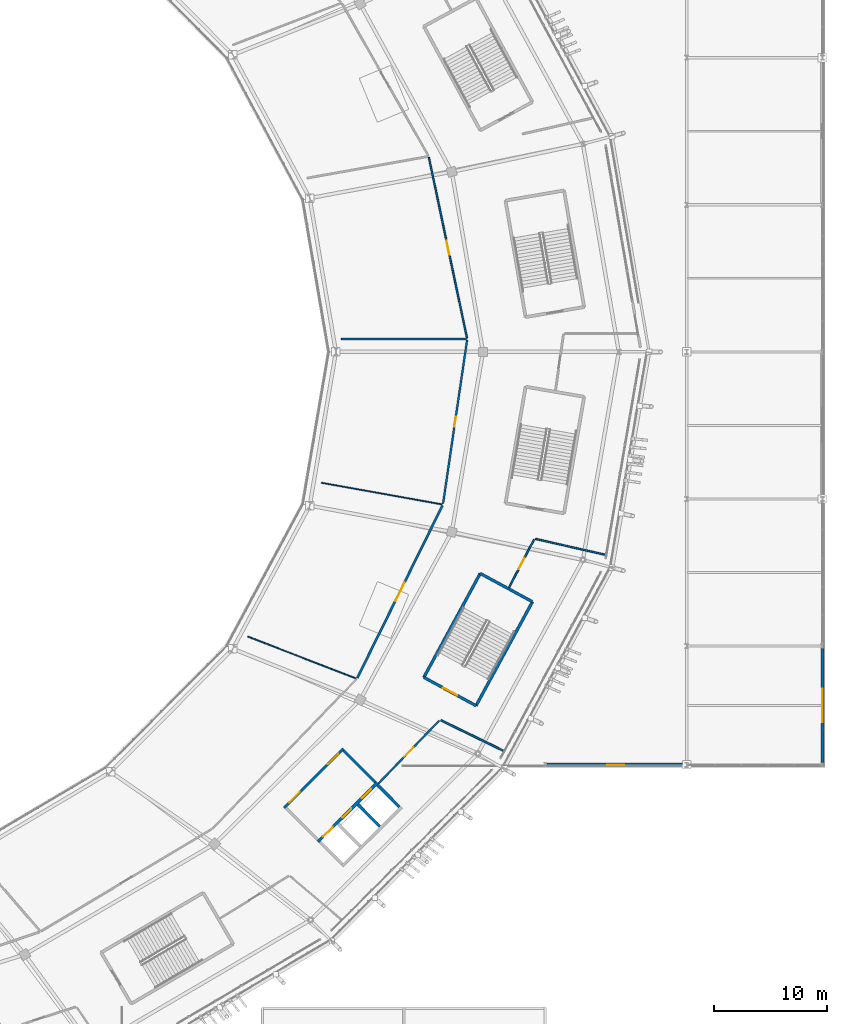
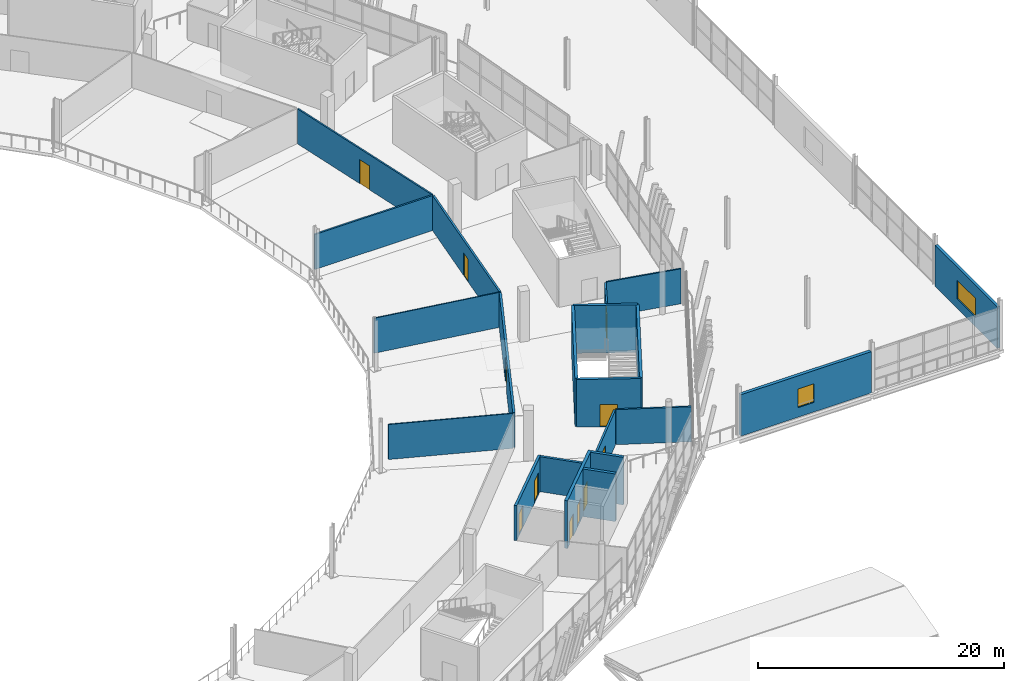
# One storey, part 130 of 179: 21 walls, 11 doors, 2 windows, 13 openings.
"""IFC4 building model written with IfcOpenShell, lengths in metres."""

from ifc_helpers import new_model, si_unit, direction, frame, frame_2d, origin, place, context, subcontext, project, spatial, rectangle, extrude, material, layer, layer_set, type_object, element, fill, save


model = new_model("IFC4")

# Units and contexts
model_context = context("Model", 3, precision=1e-05, world=origin(), true_north=direction((0.0, 1.0)))
body_context = subcontext(model_context, "Body", "Model", "MODEL_VIEW")
ifc_project = project(units=[si_unit("LENGTHUNIT", "METRE"), si_unit("AREAUNIT", "SQUARE_METRE"), si_unit("VOLUMEUNIT", "CUBIC_METRE"), si_unit("PLANEANGLEUNIT", "RADIAN"), si_unit("MASSUNIT", "GRAM", prefix="KILO")], contexts=[model_context])

# Site, building, storey
site_placement = place(None, origin())
site = spatial("IfcSite", under=ifc_project, at=site_placement, CompositionType="ELEMENT")
building_placement = place(site_placement, origin())
building = spatial("IfcBuilding", under=site, at=building_placement, Name="Zlatoyarsky Gate Stadium", CompositionType="ELEMENT")
storey_placement = place(building_placement, frame((0.0, 0.0, 10.60009765625)))
storey = spatial("IfcBuildingStorey", under=building, at=storey_placement, Name="L02", CompositionType="ELEMENT", Elevation=10.60009765625)

# Wall, opening, door
ifc_material_1 = material(Name="Double-stud acoustic gypsum partition", Category="gypsum")
ifc_layer_1 = layer(ifc_material_1, 0.169921875)
ifc_layer_set_1 = layer_set([ifc_layer_1], Name="Double-stud acoustic gypsum partition")
wall_type_1 = type_object("IfcWallType", Name="ACOUSTIC BROADCAST STUDIO WALL 170", PredefinedType="PARTITIONING", material=ifc_layer_set_1)
wall_1_placement = place(storey_placement, frame((188.469482421875, 66.593017578125, 0.0), z_axis=(0.0, 0.0, 1.0), x_axis=(0.145191396353, 0.989403587231, 0.0)))
wall_1 = element("IfcWall", 1, at=wall_1_placement, inside=storey, type_object=wall_type_1, Name="L02 interior partition PRT-L02-ICC-23", PredefinedType="PARTITIONING", context=body_context, shape_type="SweptSolid", body=[
    extrude(rectangle(XDim=14.610595703125, YDim=0.169921875, at=frame_2d((7.30517578125, 0.0))), origin(), (0.0, 0.0, 1.0), 3.469970703125),
])
opening_1_placement = place(wall_1_placement, frame((6.855224609375, 0.0, 0.0)))
opening_1 = element("IfcOpeningElement", 2, at=opening_1_placement, cuts=wall_1, Name="Opening D-L02-340", PredefinedType="OPENING", context=body_context, shape_type="SweptSolid", body=[
    extrude(rectangle(XDim=0.89990234375, YDim=2.239990234375, at=frame_2d((0.449951171875, 1.1201171875))), frame((0.0, 0.094970703125, 0.0), z_axis=(0.0, -1.0, 0.0), x_axis=(1.0, 0.0, 0.0)), (0.0, 0.0, 1.0), 0.18994140625),
])
ifc_material_2 = material(Name="Powder-coated steel fire door", Category="steel")
door_type_1 = type_object("IfcDoorType", Name="ACOUSTIC INTERIOR DOOR 900X2240", OperationType="NOTDEFINED", PredefinedType="DOOR", material=ifc_material_2)
door_1_placement = place(opening_1_placement, origin())
door_1 = element("IfcDoor", 3, at=door_1_placement, inside=storey, type_object=door_type_1, Name="L02 room door D-L02-340", OperationType="SINGLE_SWING_LEFT", OverallHeight=2.239990234375, OverallWidth=0.89990234375, PredefinedType="DOOR", context=body_context, shape_type="SweptSolid", body=[
    extrude(rectangle(XDim=0.89990234375, YDim=2.239990234375, at=frame_2d((0.449951171875, 1.1201171875))), frame((0.0, 0.02490234375, 0.0), z_axis=(0.0, -1.0, 0.0), x_axis=(1.0, 0.0, 0.0)), (0.0, 0.0, 1.0), 0.050048828125),
])
fill(opening_1, door_1)

wall_2_placement = place(storey_placement, frame((182.7451171875, 41.841064453125, 0.0), z_axis=(0.0, 0.0, 1.0), x_axis=(0.694963588854, 0.719044929172, 0.0)))
wall_2 = element("IfcWall", 4, at=wall_2_placement, inside=storey, type_object=wall_type_1, Name="L02 interior partition PRT-L02-OCC-21-1", PredefinedType="PARTITIONING", context=body_context, shape_type="SweptSolid", body=[
    extrude(rectangle(XDim=7.765869140625, YDim=0.169921875, at=frame_2d((3.8828125, 0.0))), origin(), (0.0, 0.0, 1.0), 3.469970703125),
])
opening_2_placement = place(wall_2_placement, frame((3.302978515625, 0.0, 0.0)))
opening_2 = element("IfcOpeningElement", 5, at=opening_2_placement, cuts=wall_2, Name="Opening D-L02-380", PredefinedType="OPENING", context=body_context, shape_type="SweptSolid", body=[
    extrude(rectangle(XDim=1.159912109375, YDim=2.239990234375, at=frame_2d((0.580078125, 1.1201171875))), frame((0.0, 0.094970703125, 0.0), z_axis=(0.0, -1.0, 0.0), x_axis=(1.0, 0.0, 0.0)), (0.0, 0.0, 1.0), 0.18994140625),
])
door_type_2 = type_object("IfcDoorType", Name="ACOUSTIC INTERIOR DOOR 1160X2240", OperationType="NOTDEFINED", PredefinedType="DOOR", material=ifc_material_2)
door_2_placement = place(opening_2_placement, origin())
door_2 = element("IfcDoor", 6, at=door_2_placement, inside=storey, type_object=door_type_2, Name="L02 room door D-L02-380", OperationType="SINGLE_SWING_LEFT", OverallHeight=2.239990234375, OverallWidth=1.159912109375, PredefinedType="DOOR", context=body_context, shape_type="SweptSolid", body=[
    extrude(rectangle(XDim=1.159912109375, YDim=2.239990234375, at=frame_2d((0.580078125, 1.1201171875))), frame((0.0, 0.02490234375, 0.0), z_axis=(0.0, -1.0, 0.0), x_axis=(1.0, 0.0, 0.0)), (0.0, 0.0, 1.0), 0.050048828125),
])
fill(opening_2, door_2)

ifc_material_3 = material(Name="Moisture-resistant masonry partition", Category="masonry")
ifc_layer_2 = layer(ifc_material_3, 0.139892578125)
ifc_layer_set_2 = layer_set([ifc_layer_2], Name="Moisture-resistant masonry partition")
wall_type_2 = type_object("IfcWallType", Name="ATHLETE CHANGING BLOCK PARTITION 140", PredefinedType="PARTITIONING", material=ifc_layer_set_2)
wall_3_placement = place(storey_placement, frame((190.585693359375, 81.21630859375, 0.0), z_axis=(0.0, 0.0, 1.0), x_axis=(-0.206567092779, 0.97843243823, 0.0)))
wall_3 = element("IfcWall", 7, at=wall_3_placement, inside=storey, type_object=wall_type_2, Name="L02 interior partition PRT-L02-ICC-00", PredefinedType="PARTITIONING", context=body_context, shape_type="SweptSolid", body=[
    extrude(rectangle(XDim=16.3349609375, YDim=0.139892578125, at=frame_2d((8.16748046875, 0.0))), origin(), (0.0, 0.0, 1.0), 3.469970703125),
])
opening_3_placement = place(wall_3_placement, frame((7.547607421875, 0.0, 0.0)))
opening_3 = element("IfcOpeningElement", 8, at=opening_3_placement, cuts=wall_3, Name="Opening D-L02-283", PredefinedType="OPENING", context=body_context, shape_type="SweptSolid", body=[
    extrude(rectangle(XDim=1.239990234375, YDim=2.3798828125, at=frame_2d((0.6201171875, 1.18994140625))), frame((0.0, 0.079833984375, 0.0), z_axis=(0.0, -1.0, 0.0), x_axis=(1.0, 0.0, 0.0)), (0.0, 0.0, 1.0), 0.159912109375),
])
door_type_3 = type_object("IfcDoorType", Name="ACOUSTIC INTERIOR DOOR 1240X2380", OperationType="NOTDEFINED", PredefinedType="DOOR", material=ifc_material_2)
door_3_placement = place(opening_3_placement, origin())
door_3 = element("IfcDoor", 9, at=door_3_placement, inside=storey, type_object=door_type_3, Name="L02 room door D-L02-283", OperationType="SINGLE_SWING_LEFT", OverallHeight=2.3798828125, OverallWidth=1.239990234375, PredefinedType="DOOR", context=body_context, shape_type="SweptSolid", body=[
    extrude(rectangle(XDim=1.239990234375, YDim=2.3798828125, at=frame_2d((0.6201171875, 1.18994140625))), frame((0.0, 0.02490234375, 0.0), z_axis=(0.0, -1.0, 0.0), x_axis=(1.0, 0.0, 0.0)), (0.0, 0.0, 1.0), 0.050048828125),
])
fill(opening_3, door_3)

# Wall
wall_4_placement = place(storey_placement, frame((196.63232421875, 63.472900390625, 0.0), z_axis=(0.0, 0.0, 1.0), x_axis=(0.975145332358, -0.221566199544, 0.0)))
element("IfcWall", 10, at=wall_4_placement, inside=storey, type_object=wall_type_2, Name="L02 interior partition PRT-L02-ORD-22R", PredefinedType="PARTITIONING", context=body_context, shape_type="SweptSolid", body=[
    extrude(rectangle(XDim=6.342529296875, YDim=0.139892578125, at=frame_2d((3.17138671875, 0.0))), origin(), (0.0, 0.0, 1.0), 3.469970703125),
])

# Wall, opening, door
ifc_material_4 = material(Name="Gypsum-clad mineral wool fire partition", Category="gypsum")
ifc_layer_3 = layer(ifc_material_4, 0.199951171875)
ifc_layer_set_3 = layer_set([ifc_layer_3], Name="Gypsum-clad mineral wool fire partition")
wall_type_3 = type_object("IfcWallType", Name="COMPARTMENT FIRE PARTITION WALL 200", PredefinedType="PARTITIONING", material=ifc_layer_set_3)
wall_5_placement = place(storey_placement, frame((180.8896484375, 51.186279296875, 0.0), z_axis=(0.0, 0.0, 1.0), x_axis=(0.442820639323, 0.89661021709, 0.0)))
wall_5 = element("IfcWall", 11, at=wall_5_placement, inside=storey, type_object=wall_type_3, Name="L02 interior partition PRT-L02-ICC-22", PredefinedType="PARTITIONING", context=body_context, shape_type="SweptSolid", body=[
    extrude(rectangle(XDim=17.004638671875, YDim=0.199951171875, at=frame_2d((8.50244140625, 0.0))), origin(), (0.0, 0.0, 1.0), 3.469970703125),
])
opening_4_placement = place(wall_5_placement, frame((7.59228515625, 0.0, 0.0)))
opening_4 = element("IfcOpeningElement", 12, at=opening_4_placement, cuts=wall_5, Name="Opening D-L02-338", PredefinedType="OPENING", context=body_context, shape_type="SweptSolid", body=[
    extrude(rectangle(XDim=1.820068359375, YDim=2.3798828125, at=frame_2d((0.91015625, 1.18994140625))), frame((0.0, 0.10986328125, 0.0), z_axis=(0.0, -1.0, 0.0), x_axis=(1.0, 0.0, 0.0)), (0.0, 0.0, 1.0), 0.219970703125),
])
door_type_4 = type_object("IfcDoorType", Name="ACOUSTIC INTERIOR DOOR 1820X2380", OperationType="NOTDEFINED", PredefinedType="DOOR", material=ifc_material_2)
door_4_placement = place(opening_4_placement, origin())
door_4 = element("IfcDoor", 13, at=door_4_placement, inside=storey, type_object=door_type_4, Name="L02 room door D-L02-338", OperationType="SINGLE_SWING_RIGHT", OverallHeight=2.3798828125, OverallWidth=1.820068359375, PredefinedType="DOOR", context=body_context, shape_type="SweptSolid", body=[
    extrude(rectangle(XDim=1.820068359375, YDim=2.3798828125, at=frame_2d((0.91015625, 1.18994140625))), frame((0.0, 0.02490234375, 0.0), z_axis=(0.0, -1.0, 0.0), x_axis=(1.0, 0.0, 0.0)), (0.0, 0.0, 1.0), 0.050048828125),
])
fill(opening_4, door_4)

ifc_material_5 = material(Name="Metal-stud gypsum partition", Category="gypsum")
ifc_layer_4 = layer(ifc_material_5, 0.14990234375)
ifc_layer_set_4 = layer_set([ifc_layer_4], Name="Metal-stud gypsum partition")
wall_type_4 = type_object("IfcWallType", Name="CONCOURSE CORRIDOR PARTITION 150", PredefinedType="PARTITIONING", material=ifc_layer_set_4)
wall_6_placement = place(storey_placement, frame((194.302978515625, 59.184814453125, 0.0), z_axis=(0.0, 0.0, 1.0), x_axis=(0.462454112577, 0.886643216723, 0.0)))
wall_6 = element("IfcWall", 14, at=wall_6_placement, inside=storey, type_object=wall_type_4, Name="L02 interior partition PRT-L02-OCC-22-1", PredefinedType="PARTITIONING", context=body_context, shape_type="SweptSolid", body=[
    extrude(rectangle(XDim=4.7724609375, YDim=0.14990234375, at=frame_2d((2.38623046875, 0.0))), origin(), (0.0, 0.0, 1.0), 3.469970703125),
])
opening_5_placement = place(wall_6_placement, frame((1.80615234375, 0.0, 0.0)))
opening_5 = element("IfcOpeningElement", 15, at=opening_5_placement, cuts=wall_6, Name="Opening D-L02-382", PredefinedType="OPENING", context=body_context, shape_type="SweptSolid", body=[
    extrude(rectangle(XDim=1.159912109375, YDim=2.3798828125, at=frame_2d((0.580078125, 1.18994140625))), frame((0.0, 0.0849609375, 0.0), z_axis=(0.0, -1.0, 0.0), x_axis=(1.0, 0.0, 0.0)), (0.0, 0.0, 1.0), 0.169921875),
])
door_type_5 = type_object("IfcDoorType", Name="ACOUSTIC INTERIOR DOOR 1160X2380", OperationType="NOTDEFINED", PredefinedType="DOOR", material=ifc_material_2)
door_5_placement = place(opening_5_placement, origin())
door_5 = element("IfcDoor", 16, at=door_5_placement, inside=storey, type_object=door_type_5, Name="L02 room door D-L02-382", OperationType="SINGLE_SWING_RIGHT", OverallHeight=2.3798828125, OverallWidth=1.159912109375, PredefinedType="DOOR", context=body_context, shape_type="SweptSolid", body=[
    extrude(rectangle(XDim=1.159912109375, YDim=2.3798828125, at=frame_2d((0.580078125, 1.18994140625))), frame((0.0, 0.02490234375, 0.0), z_axis=(0.0, -1.0, 0.0), x_axis=(1.0, 0.0, 0.0)), (0.0, 0.0, 1.0), 0.050048828125),
])
fill(opening_5, door_5)

# Walls
ifc_material_6 = material(Name="Concrete C40/50", Category="concrete")
ifc_layer_5 = layer(ifc_material_6, 0.27001953125)
ifc_layer_set_5 = layer_set([ifc_layer_5], Name="Concrete C40/50")
wall_type_5 = type_object("IfcWallType", Name="CONCRETE LIFT SHAFT SHEAR WALL 270", PredefinedType="SHEAR", material=ifc_layer_set_5)
for number, where, z_axis, x_axis, name in (
    (17, (184.594970703125, 39.783203125, 0.0), (0.0, 0.0, 1.0), (-0.705322518225, 0.708886553183, 0.0), "C4 L02 lift shaft right wall"),
    (18, (182.865234375, 38.062255859375, 0.0), (0.0, 0.0, 1.0), (-0.705322518225, 0.708886553183, 0.0), "C4 L02 lift shaft divider 2"),
):
    element("IfcWall", number, at=place(storey_placement, frame(where, z_axis=z_axis, x_axis=x_axis)), inside=storey, type_object=wall_type_5, Name=name, PredefinedType="SHEAR", context=body_context, shape_type="SweptSolid", body=[
        extrude(rectangle(XDim=2.739990234375, YDim=0.27001953125, at=frame_2d((1.3701171875, 0.0))), origin(), (0.0, 0.0, 1.0), 4.719970703125),
    ])

# Wall, openings, doors
wall_7_placement = place(storey_placement, frame((177.409912109375, 36.704345703125, 0.0), z_axis=(0.0, 0.0, 1.0), x_axis=(0.708918979457, 0.705289926602, 0.0)))
wall_7 = element("IfcWall", 19, at=wall_7_placement, inside=storey, type_object=wall_type_5, Name="C4 L02 lift landing front wall", PredefinedType="SHEAR", context=body_context, shape_type="SweptSolid", body=[
    extrude(rectangle(XDim=7.400146484375, YDim=0.27001953125, at=frame_2d((3.7001953125, 0.0))), origin(), (0.0, 0.0, 1.0), 4.719970703125),
])
opening_6_placement = place(wall_7_placement, frame((0.64990234375, 0.0, 0.0)))
opening_6 = element("IfcOpeningElement", 20, at=opening_6_placement, cuts=wall_7, Name="Opening LD-FL-04-L02", PredefinedType="OPENING", context=body_context, shape_type="SweptSolid", body=[
    extrude(rectangle(XDim=1.199951171875, YDim=2.25, at=frame_2d((0.60009765625, 1.125))), frame((0.0, 0.14501953125, 0.0), z_axis=(0.0, -1.0, 0.0), x_axis=(1.0, 0.0, 0.0)), (0.0, 0.0, 1.0), 0.2900390625),
])
opening_7_placement = place(wall_7_placement, frame((3.050048828125, 0.0, 0.0)))
opening_7 = element("IfcOpeningElement", 21, at=opening_7_placement, cuts=wall_7, Name="Opening LD-LF-07-L02", PredefinedType="OPENING", context=body_context, shape_type="SweptSolid", body=[
    extrude(rectangle(XDim=1.10009765625, YDim=2.199951171875, at=frame_2d((0.550048828125, 1.10009765625))), frame((0.0, 0.14501953125, 0.0), z_axis=(0.0, -1.0, 0.0), x_axis=(1.0, 0.0, 0.0)), (0.0, 0.0, 1.0), 0.2900390625),
])
opening_8_placement = place(wall_7_placement, frame((5.5, 0.0, 0.0)))
opening_8 = element("IfcOpeningElement", 22, at=opening_8_placement, cuts=wall_7, Name="Opening LD-LF-08-L02", PredefinedType="OPENING", context=body_context, shape_type="SweptSolid", body=[
    extrude(rectangle(XDim=1.10009765625, YDim=2.199951171875, at=frame_2d((0.550048828125, 1.10009765625))), frame((0.0, 0.14501953125, 0.0), z_axis=(0.0, -1.0, 0.0), x_axis=(1.0, 0.0, 0.0)), (0.0, 0.0, 1.0), 0.2900390625),
])
door_type_6 = type_object("IfcDoorType", Name="STAINLESS LIFT LANDING SLIDING DOOR 1100X2200", OperationType="DOUBLE_DOOR_SLIDING", PredefinedType="DOOR", material=ifc_material_2)
door_6_placement = place(opening_7_placement, origin())
door_6 = element("IfcDoor", 23, at=door_6_placement, inside=storey, type_object=door_type_6, Name="Lift LF-07 L02 sliding landing door", OperationType="DOUBLE_DOOR_SLIDING", OverallHeight=2.199951171875, OverallWidth=1.10009765625, PredefinedType="DOOR", context=body_context, shape_type="SweptSolid", body=[
    extrude(rectangle(XDim=1.10009765625, YDim=2.199951171875, at=frame_2d((0.550048828125, 1.10009765625))), frame((0.0, 0.02490234375, 0.0), z_axis=(0.0, -1.0, 0.0), x_axis=(1.0, 0.0, 0.0)), (0.0, 0.0, 1.0), 0.050048828125),
])
fill(opening_7, door_6)
door_7_placement = place(opening_8_placement, origin())
door_7 = element("IfcDoor", 24, at=door_7_placement, inside=storey, type_object=door_type_6, Name="Lift LF-08 L02 sliding landing door", OperationType="DOUBLE_DOOR_SLIDING", OverallHeight=2.199951171875, OverallWidth=1.10009765625, PredefinedType="DOOR", context=body_context, shape_type="SweptSolid", body=[
    extrude(rectangle(XDim=1.10009765625, YDim=2.199951171875, at=frame_2d((0.550048828125, 1.10009765625))), frame((0.0, 0.02490234375, 0.0), z_axis=(0.0, -1.0, 0.0), x_axis=(1.0, 0.0, 0.0)), (0.0, 0.0, 1.0), 0.050048828125),
])
fill(opening_8, door_7)
door_type_7 = type_object("IfcDoorType", Name="STAINLESS LIFT LANDING SLIDING DOOR 1200X2250", OperationType="DOUBLE_DOOR_SLIDING", PredefinedType="DOOR", material=ifc_material_2)
door_8_placement = place(opening_6_placement, origin())
door_8 = element("IfcDoor", 25, at=door_8_placement, inside=storey, type_object=door_type_7, Name="Lift FL-04 L02 sliding landing door", OperationType="DOUBLE_DOOR_SLIDING", OverallHeight=2.25, OverallWidth=1.199951171875, PredefinedType="DOOR", context=body_context, shape_type="SweptSolid", body=[
    extrude(rectangle(XDim=1.199951171875, YDim=2.25, at=frame_2d((0.60009765625, 1.125))), frame((0.0, 0.02490234375, 0.0), z_axis=(0.0, -1.0, 0.0), x_axis=(1.0, 0.0, 0.0)), (0.0, 0.0, 1.0), 0.050048828125),
])
fill(opening_6, door_8)

# Wall, opening, door
ifc_layer_6 = layer(ifc_material_6, 0.25)
ifc_layer_set_6 = layer_set([ifc_layer_6], Name="Concrete C40/50")
wall_type_6 = type_object("IfcWallType", Name="CONCRETE STAIR CORE SHEAR WALL 250", PredefinedType="SHEAR", material=ifc_layer_set_6)
wall_8_placement = place(storey_placement, frame((186.770263671875, 51.235107421875, 0.0), z_axis=(0.0, 0.0, 1.0), x_axis=(0.878941993928, -0.476928685769, 0.0)))
wall_8 = element("IfcWall", 26, at=wall_8_placement, inside=storey, type_object=wall_type_6, Name="ST-12 L02 stair core entrance shear wall", PredefinedType="SHEAR", context=body_context, shape_type="SweptSolid", body=[
    extrude(rectangle(XDim=5.25, YDim=0.25, at=frame_2d((2.625, 0.0))), origin(), (0.0, 0.0, 1.0), 4.719970703125),
])
opening_9_placement = place(wall_8_placement, frame((1.925048828125, 0.0, 0.0)))
opening_9 = element("IfcOpeningElement", 27, at=opening_9_placement, cuts=wall_8, Name="Opening SD-ST-12-L02", PredefinedType="OPENING", context=body_context, shape_type="SweptSolid", body=[
    extrude(rectangle(XDim=1.39990234375, YDim=2.199951171875, at=frame_2d((0.699951171875, 1.10009765625))), frame((0.0, 0.135009765625, 0.0), z_axis=(0.0, -1.0, 0.0), x_axis=(1.0, 0.0, 0.0)), (0.0, 0.0, 1.0), 0.27001953125),
])
door_type_8 = type_object("IfcDoorType", Name="STAIR CORE FIRE EXIT DOOR 1400X2200", OperationType="NOTDEFINED", PredefinedType="DOOR", material=ifc_material_2)
door_9_placement = place(opening_9_placement, frame((1.39990234375, 0.0, 0.0), z_axis=(0.0, 0.0, 1.0), x_axis=(-1.0, 0.0, 0.0)))
door_9 = element("IfcDoor", 28, at=door_9_placement, inside=storey, type_object=door_type_8, Name="ST-12 L02 stair fire door", OperationType="SINGLE_SWING_LEFT", OverallHeight=2.199951171875, OverallWidth=1.39990234375, PredefinedType="DOOR", context=body_context, shape_type="SweptSolid", body=[
    extrude(rectangle(XDim=1.39990234375, YDim=2.199951171875, at=frame_2d((0.699951171875, 1.10009765625))), frame((0.0, 0.02490234375, 0.0), z_axis=(0.0, -1.0, 0.0), x_axis=(1.0, 0.0, 0.0)), (0.0, 0.0, 1.0), 0.050048828125),
])
fill(opening_9, door_9)

# Walls
wall_9_placement = place(storey_placement, frame((191.384765625, 48.731201171875, 0.0), z_axis=(0.0, 0.0, 1.0), x_axis=(0.476876856974, 0.878970115125, 0.0)))
element("IfcWall", 29, at=wall_9_placement, inside=storey, type_object=wall_type_6, Name="ST-12 L02 stair core left shear wall", PredefinedType="SHEAR", context=body_context, shape_type="SweptSolid", body=[
    extrude(rectangle(XDim=10.4501953125, YDim=0.25, at=frame_2d((5.22509765625, 0.0))), origin(), (0.0, 0.0, 1.0), 4.719970703125),
])
wall_10_placement = place(storey_placement, frame((196.3681640625, 57.91650390625, 0.0), z_axis=(0.0, 0.0, 1.0), x_axis=(-0.878961487093, 0.47689275965, 0.0)))
element("IfcWall", 30, at=wall_10_placement, inside=storey, type_object=wall_type_6, Name="ST-12 L02 stair core far shear wall", PredefinedType="SHEAR", context=body_context, shape_type="SweptSolid", body=[
    extrude(rectangle(XDim=5.25, YDim=0.25, at=frame_2d((2.625, 0.0))), origin(), (0.0, 0.0, 1.0), 4.719970703125),
])
wall_11_placement = place(storey_placement, frame((191.753662109375, 60.420166015625, 0.0), z_axis=(0.0, 0.0, 1.0), x_axis=(-0.476886649814, -0.878964802042, 0.0)))
element("IfcWall", 31, at=wall_11_placement, inside=storey, type_object=wall_type_6, Name="ST-12 L02 stair core right shear wall", PredefinedType="SHEAR", context=body_context, shape_type="SweptSolid", body=[
    extrude(rectangle(XDim=10.449951171875, YDim=0.25, at=frame_2d((5.22509765625, 0.0))), origin(), (0.0, 0.0, 1.0), 4.719970703125),
])
ifc_material_7 = material(Name="Autoclaved aerated concrete masonry EI 120", Category="masonry")
ifc_layer_7 = layer(ifc_material_7, 0.219970703125)
ifc_layer_set_7 = layer_set([ifc_layer_7], Name="Autoclaved aerated concrete masonry EI 120")
wall_type_7 = type_object("IfcWallType", Name="FIREFIGHTING LOBBY RATED WALL 220", PredefinedType="PARTITIONING", material=ifc_layer_set_7)
wall_12_placement = place(storey_placement, frame((182.468505859375, 41.955810546875, 0.0), z_axis=(0.0, 0.0, 1.0), x_axis=(-0.705294916294, 0.708914015273, 0.0)))
element("IfcWall", 32, at=wall_12_placement, inside=storey, type_object=wall_type_7, Name="C4 L02 firefighting lobby right wall", PredefinedType="PARTITIONING", context=body_context, shape_type="SweptSolid", body=[
    extrude(rectangle(XDim=3.97998046875, YDim=0.219970703125, at=frame_2d((1.989990234375, 0.0))), origin(), (0.0, 0.0, 1.0), 3.469970703125),
])

# Wall, openings, doors
wall_13_placement = place(storey_placement, frame((174.416015625, 39.713623046875, 0.0), z_axis=(0.0, 0.0, 1.0), x_axis=(0.708902567846, 0.705306422274, 0.0)))
wall_13 = element("IfcWall", 33, at=wall_13_placement, inside=storey, type_object=wall_type_7, Name="C4 L02 firefighting lobby front wall", PredefinedType="PARTITIONING", context=body_context, shape_type="SweptSolid", body=[
    extrude(rectangle(XDim=7.39990234375, YDim=0.219970703125, at=frame_2d((3.699951171875, 0.0))), origin(), (0.0, 0.0, 1.0), 3.469970703125),
])
opening_10_placement = place(wall_13_placement, frame((0.64990234375, 0.0, 0.0)))
opening_10 = element("IfcOpeningElement", 34, at=opening_10_placement, cuts=wall_13, Name="Opening FD-C4-L02-A", PredefinedType="OPENING", context=body_context, shape_type="SweptSolid", body=[
    extrude(rectangle(XDim=1.300048828125, YDim=2.199951171875, at=frame_2d((0.64990234375, 1.10009765625))), frame((0.0, 0.119873046875, 0.0), z_axis=(0.0, -1.0, 0.0), x_axis=(1.0, 0.0, 0.0)), (0.0, 0.0, 1.0), 0.239990234375),
])
opening_11_placement = place(wall_13_placement, frame((5.449951171875, 0.0, 0.0)))
opening_11 = element("IfcOpeningElement", 35, at=opening_11_placement, cuts=wall_13, Name="Opening FD-C4-L02-B", PredefinedType="OPENING", context=body_context, shape_type="SweptSolid", body=[
    extrude(rectangle(XDim=1.300048828125, YDim=2.199951171875, at=frame_2d((0.64990234375, 1.10009765625))), frame((0.0, 0.119873046875, 0.0), z_axis=(0.0, -1.0, 0.0), x_axis=(1.0, 0.0, 0.0)), (0.0, 0.0, 1.0), 0.239990234375),
])
door_type_9 = type_object("IfcDoorType", Name="FIREFIGHTING LOBBY FIRE DOOR 1300X2200", OperationType="NOTDEFINED", PredefinedType="DOOR", material=ifc_material_2)
door_10_placement = place(opening_10_placement, origin())
door_10 = element("IfcDoor", 36, at=door_10_placement, inside=storey, type_object=door_type_9, Name="C4 L02 firefighting lobby fire door FD-C4-L02-A", OperationType="SINGLE_SWING_LEFT", OverallHeight=2.199951171875, OverallWidth=1.300048828125, PredefinedType="DOOR", context=body_context, shape_type="SweptSolid", body=[
    extrude(rectangle(XDim=1.300048828125, YDim=2.199951171875, at=frame_2d((0.64990234375, 1.10009765625))), frame((0.0, 0.02490234375, 0.0), z_axis=(0.0, -1.0, 0.0), x_axis=(1.0, 0.0, 0.0)), (0.0, 0.0, 1.0), 0.050048828125),
])
fill(opening_10, door_10)
door_11_placement = place(opening_11_placement, origin())
door_11 = element("IfcDoor", 37, at=door_11_placement, inside=storey, type_object=door_type_9, Name="C4 L02 firefighting lobby fire door FD-C4-L02-B", OperationType="SINGLE_SWING_RIGHT", OverallHeight=2.199951171875, OverallWidth=1.300048828125, PredefinedType="DOOR", context=body_context, shape_type="SweptSolid", body=[
    extrude(rectangle(XDim=1.300048828125, YDim=2.199951171875, at=frame_2d((0.64990234375, 1.10009765625))), frame((0.0, 0.02490234375, 0.0), z_axis=(0.0, -1.0, 0.0), x_axis=(1.0, 0.0, 0.0)), (0.0, 0.0, 1.0), 0.050048828125),
])
fill(opening_11, door_11)

# Walls
ifc_material_8 = material(Name="Timber-veneered acoustic operable partition", Category="wood")
ifc_layer_8 = layer(ifc_material_8, 0.094970703125)
ifc_layer_set_8 = layer_set([ifc_layer_8], Name="Timber-veneered acoustic operable partition")
wall_type_8 = type_object("IfcWallType", Name="FOLDING BANQUET SALON WALL 95", PredefinedType="MOVABLE", material=ifc_layer_set_8)
wall_14_placement = place(storey_placement, frame((177.7158203125, 68.436279296875, 0.0), z_axis=(0.0, 0.0, 1.0), x_axis=(0.984280353851, -0.176613094143, 0.0)))
element("IfcWall", 38, at=wall_14_placement, inside=storey, type_object=wall_type_8, Name="L02 interior partition PRT-L02-IRD-23", PredefinedType="MOVABLE", context=body_context, shape_type="SweptSolid", body=[
    extrude(rectangle(XDim=10.827880859375, YDim=0.094970703125, at=frame_2d((5.4140625, 0.0))), origin(), (0.0, 0.0, 1.0), 3.469970703125),
])
ifc_material_9 = material(Name="Acoustic metal-stud gypsum partition", Category="gypsum")
ifc_layer_9 = layer(ifc_material_9, 0.159912109375)
ifc_layer_set_9 = layer_set([ifc_layer_9], Name="Acoustic metal-stud gypsum partition")
wall_type_9 = type_object("IfcWallType", Name="HOSPITALITY SUITE PARTITION 160", PredefinedType="PARTITIONING", material=ifc_layer_set_9)
wall_15_placement = place(storey_placement, frame((179.49169921875, 81.1337890625, 0.0), z_axis=(0.0, 0.0, 1.0), x_axis=(0.999999997794, -6.6423115e-05, 0.0)))
element("IfcWall", 39, at=wall_15_placement, inside=storey, type_object=wall_type_9, Name="L02 interior partition PRT-L02-IRD-00", PredefinedType="PARTITIONING", context=body_context, shape_type="SweptSolid", body=[
    extrude(rectangle(XDim=11.026611328125, YDim=0.159912109375, at=frame_2d((5.51318359375, 0.0))), origin(), (0.0, 0.0, 1.0), 3.469970703125),
])
wall_16_placement = place(storey_placement, frame((188.27734375, 47.44873046875, 0.0), z_axis=(0.0, 0.0, 1.0), x_axis=(0.898180134818, -0.439627621309, 0.0)))
element("IfcWall", 40, at=wall_16_placement, inside=storey, type_object=wall_type_9, Name="L02 interior partition PRT-L02-ORD-21R", PredefinedType="PARTITIONING", context=body_context, shape_type="SweptSolid", body=[
    extrude(rectangle(XDim=6.16650390625, YDim=0.159912109375, at=frame_2d((3.083251953125, 0.0))), origin(), (0.0, 0.0, 1.0), 3.469970703125),
])

# Wall, opening, window
ifc_material_10 = material(Name="Limestone-faced insulated masonry wall", Category="masonry")
ifc_layer_10 = layer(ifc_material_10, 0.300048828125)
ifc_layer_set_10 = layer_set([ifc_layer_10], Name="Limestone-faced insulated masonry wall")
wall_type_10 = type_object("IfcWallType", Name="INSULATED PAVILION FACADE WALL 300", PredefinedType="STANDARD", material=ifc_layer_set_10)
wall_17_placement = place(storey_placement, frame((197.64697265625, 43.5, 0.0), z_axis=(0.0, 0.0, 1.0), x_axis=(1.0, 0.0, 0.0)))
wall_17 = element("IfcWall", 41, at=wall_17_placement, inside=storey, type_object=wall_type_10, Name="V5_EAST L02 S exterior wall", PredefinedType="STANDARD", context=body_context, shape_type="SweptSolid", body=[
    extrude(rectangle(XDim=12.2060546875, YDim=0.300048828125, at=frame_2d((6.10302734375, 0.0))), origin(), (0.0, 0.0, 1.0), 4.099853515625),
])
opening_12_placement = place(wall_17_placement, frame((5.35302734375, 0.0, 0.949951171875)))
opening_12 = element("IfcOpeningElement", 42, at=opening_12_placement, cuts=wall_17, Name="Opening WN-07", PredefinedType="OPENING", context=body_context, shape_type="SweptSolid", body=[
    extrude(rectangle(XDim=1.5, YDim=1.85009765625, at=frame_2d((0.75, 0.925048828125))), frame((0.0, 0.159912109375, 0.0), z_axis=(0.0, -1.0, 0.0), x_axis=(1.0, 0.0, 0.0)), (0.0, 0.0, 1.0), 0.320068359375),
])
ifc_material_11 = material(Name="Triple-glazed thermally broken aluminium window", Category="aluminium")
window_type_1 = type_object("IfcWindowType", Name="TRIPLE GLAZED ALUMINIUM WINDOW 1500X1850", PartitioningType="SINGLE_PANEL", PredefinedType="WINDOW", material=ifc_material_11)
window_1_placement = place(opening_12_placement, origin())
window_1 = element("IfcWindow", 43, at=window_1_placement, inside=storey, type_object=window_type_1, Name="Exterior window WIN-L02-063", OverallHeight=1.85009765625, OverallWidth=1.5, PartitioningType="SINGLE_PANEL", PredefinedType="WINDOW", context=body_context, shape_type="SweptSolid", body=[
    extrude(rectangle(XDim=1.5, YDim=1.85009765625, at=frame_2d((0.75, 0.925048828125))), frame((0.0, 0.030029296875, 0.0), z_axis=(0.0, -1.0, 0.0), x_axis=(1.0, 0.0, 0.0)), (0.0, 0.0, 1.0), 0.06005859375),
])
fill(opening_12, window_1)

# Wall
ifc_layer_11 = layer(ifc_material_5, 0.10009765625)
ifc_layer_set_11 = layer_set([ifc_layer_11], Name="Metal-stud gypsum partition")
wall_type_11 = type_object("IfcWallType", Name="LIGHT STORAGE PARTITION 100", PredefinedType="PARTITIONING", material=ifc_layer_set_11)
wall_18_placement = place(storey_placement, frame((171.220947265625, 54.83544921875, 0.0), z_axis=(0.0, 0.0, 1.0), x_axis=(0.93266255791, -0.360749986935, 0.0)))
element("IfcWall", 44, at=wall_18_placement, inside=storey, type_object=wall_type_11, Name="L02 interior partition PRT-L02-IRD-22", PredefinedType="PARTITIONING", context=body_context, shape_type="SweptSolid", body=[
    extrude(rectangle(XDim=10.241455078125, YDim=0.10009765625, at=frame_2d((5.12060546875, 0.0))), origin(), (0.0, 0.0, 1.0), 3.469970703125),
])

# Wall, opening, window
ifc_layer_12 = layer(ifc_material_10, 0.260009765625)
ifc_layer_set_12 = layer_set([ifc_layer_12], Name="Limestone-faced insulated masonry wall")
wall_type_12 = type_object("IfcWallType", Name="PORTICO COLONNADE PLINTH WALL 260", PredefinedType="STANDARD", material=ifc_layer_set_12)
wall_19_placement = place(storey_placement, frame((222.0, 43.697021484375, 0.0), z_axis=(0.0, 0.0, 1.0), x_axis=(0.0, 1.0, 0.0)))
wall_19 = element("IfcWall", 45, at=wall_19_placement, inside=storey, type_object=wall_type_12, Name="V5_EAST L02 E_LO exterior wall", PredefinedType="STANDARD", context=body_context, shape_type="SweptSolid", body=[
    extrude(rectangle(XDim=10.10595703125, YDim=0.260009765625, at=frame_2d((5.052978515625, 0.0))), origin(), (0.0, 0.0, 1.0), 4.099853515625),
])
opening_13_placement = place(wall_19_placement, frame((3.552978515625, 0.0, 0.949951171875)))
opening_13 = element("IfcOpeningElement", 46, at=opening_13_placement, cuts=wall_19, Name="Opening WN-27", PredefinedType="OPENING", context=body_context, shape_type="SweptSolid", body=[
    extrude(rectangle(XDim=3.0, YDim=1.85009765625, at=frame_2d((1.5, 0.925048828125))), frame((0.0, 0.139892578125, 0.0), z_axis=(0.0, -1.0, 0.0), x_axis=(1.0, 0.0, 0.0)), (0.0, 0.0, 1.0), 0.280029296875),
])
window_type_2 = type_object("IfcWindowType", Name="TRIPLE GLAZED ALUMINIUM WINDOW 3000X1850", PartitioningType="SINGLE_PANEL", PredefinedType="WINDOW", material=ifc_material_11)
window_2_placement = place(opening_13_placement, origin())
window_2 = element("IfcWindow", 47, at=window_2_placement, inside=storey, type_object=window_type_2, Name="Exterior window WIN-L02-055", OverallHeight=1.85009765625, OverallWidth=3.0, PartitioningType="SINGLE_PANEL", PredefinedType="WINDOW", context=body_context, shape_type="SweptSolid", body=[
    extrude(rectangle(XDim=3.0, YDim=1.85009765625, at=frame_2d((1.5, 0.925048828125))), frame((0.0, 0.030029296875, 0.0), z_axis=(0.0, -1.0, 0.0), x_axis=(1.0, 0.0, 0.0)), (0.0, 0.0, 1.0), 0.06005859375),
])
fill(opening_13, window_2)

save(model, "model.ifc")
